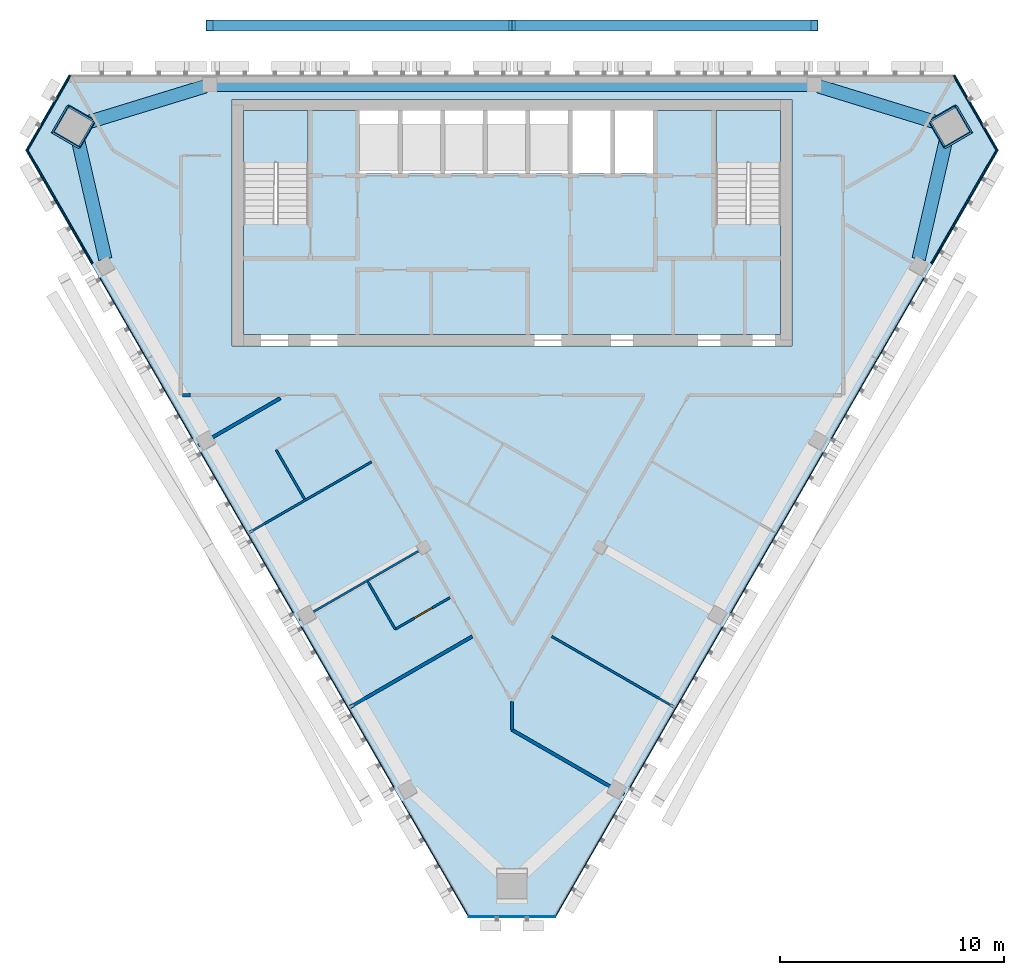
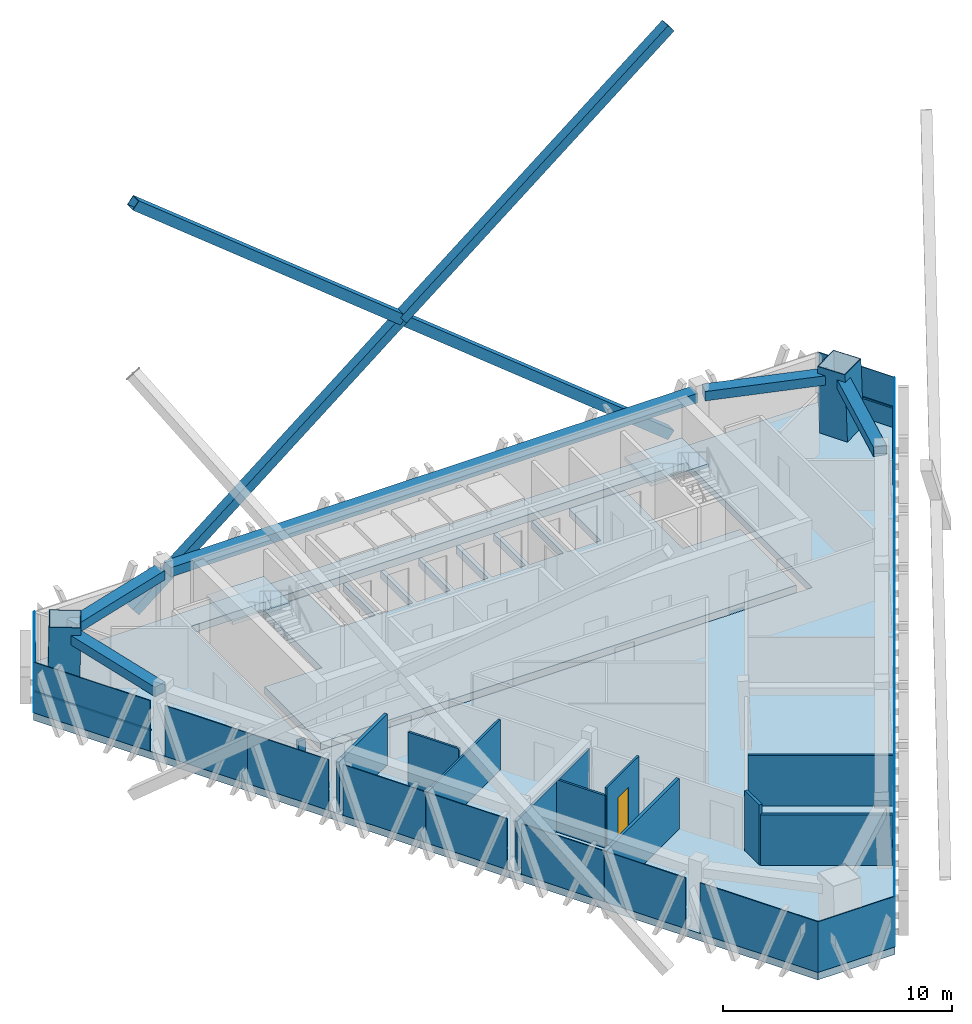
# One storey, part 5 of 12: 19 plates, 11 walls, 10 members, 5 beams, 4 slabs, 1 door, 1 opening, 7 elements without a shape of their own.
"""IFC4 building model written with IfcOpenShell, lengths in metres."""

from ifc_helpers import new_model, si_unit, direction, frame, frame_2d, origin, origin_2d, place, context, subcontext, project, spatial, polyline, rectangle, hollow_rectangle, outline, extrude, material, layer, layer_set, material_profile, profile_set, type_object, element, fill, aggregate, save


model = new_model("IFC4")

# Units and contexts
model_context = context("Model", 3, precision=1e-05, world=origin(), true_north=direction((0.0, 1.0)))
body_context = subcontext(model_context, "Body", "Model", "MODEL_VIEW")
ifc_project = project(units=[si_unit("LENGTHUNIT", "METRE"), si_unit("AREAUNIT", "SQUARE_METRE"), si_unit("VOLUMEUNIT", "CUBIC_METRE"), si_unit("PLANEANGLEUNIT", "RADIAN"), si_unit("MASSUNIT", "GRAM", prefix="KILO")], contexts=[model_context])

# Site, building, storey
site_placement = place(None, origin())
site = spatial("IfcSite", under=ifc_project, at=site_placement, CompositionType="ELEMENT")
building_placement = place(site_placement, origin())
building = spatial("IfcBuilding", under=site, at=building_placement, Name="Altiplano Prism Tower", CompositionType="ELEMENT")
storey_placement = place(building_placement, frame((0.0, 0.0, 313.0)))
storey = spatial("IfcBuildingStorey", under=building, at=storey_placement, Name="L81", CompositionType="ELEMENT", Elevation=313.0)

# Curtain wall, member
ifc_material_1 = material(Name="Aluminium and glass", Category="aluminium")
ifc_layer_1 = layer(ifc_material_1, 0.280029296875)
ifc_layer_set_1 = layer_set([ifc_layer_1], Name="Aluminium and glass")
curtain_wall_type = type_object("IfcCurtainWallType", Name="CW1 typical co-living unitised curtain wall", PredefinedType="NOTDEFINED", material=ifc_layer_set_1)
curtain_wall_1_placement = place(storey_placement, origin())
curtain_wall_1 = element("IfcCurtainWall", 1, at=curtain_wall_1_placement, inside=storey, type_object=curtain_wall_type, Name="CW1 curtain wall north-west chamfer L81", PredefinedType="NOTDEFINED")
ifc_material_2 = material(Name="Aluminium", Category="aluminium")
ifc_material_profile_1 = material_profile(ifc_material_2, rectangle(XDim=0.06005859375, YDim=0.080078125, at=origin_2d()), Name="CW1 transom 80 x 60")
ifc_profile_set_1 = profile_set([ifc_material_profile_1], Name="Aluminium")
member_type_1 = type_object("IfcMemberType", Name="CW1 transom 80 x 60", PredefinedType="USERDEFINED", material=ifc_profile_set_1)
member_1_placement = place(storey_placement, frame((65.2822265625, 104.965087890625, 1.10009765625), z_axis=(-0.499998048424, -0.866026530524, 0.0), x_axis=(0.866026530524, -0.499998048424, 0.0)))
member_1 = element("IfcMember", 2, at=member_1_placement, type_object=member_type_1, Name="CW1 transom", ObjectType="TRANSOM", PredefinedType="USERDEFINED", context=body_context, shape_type="SweptSolid", body=[
    extrude(rectangle(XDim=0.06005859375, YDim=0.080078125, at=origin_2d()), origin(), (0.0, 0.0, 1.0), 3.88525390625),
])

curtain_wall_2_placement = place(storey_placement, origin())
curtain_wall_2 = element("IfcCurtainWall", 3, at=curtain_wall_2_placement, inside=storey, type_object=curtain_wall_type, Name="CW1 curtain wall south-west face L81", PredefinedType="NOTDEFINED")
member_2_placement = place(storey_placement, frame((63.339599609375, 101.67041015625, 1.10009765625), z_axis=(0.500010280449, -0.866019468283, 0.0), x_axis=(0.866019468283, 0.500010280449, 0.0)))
member_2 = element("IfcMember", 4, at=member_2_placement, type_object=member_type_1, Name="CW1 transom", ObjectType="TRANSOM", PredefinedType="USERDEFINED", context=body_context, shape_type="SweptSolid", body=[
    extrude(rectangle(XDim=0.06005859375, YDim=0.080078125, at=origin_2d()), origin(), (0.0, 0.0, 1.0), 5.8740234375),
])

curtain_wall_3_placement = place(storey_placement, origin())
curtain_wall_3 = element("IfcCurtainWall", 5, at=curtain_wall_3_placement, inside=storey, type_object=curtain_wall_type, Name="CW1 curtain wall south-east face L81", PredefinedType="NOTDEFINED")
member_3_placement = place(storey_placement, frame((103.723388671875, 96.58349609375, 1.10009765625), z_axis=(0.500010280449, 0.866019468283, 0.0), x_axis=(-0.866019468283, 0.500010280449, 0.0)))
member_3 = element("IfcMember", 6, at=member_3_placement, type_object=member_type_1, Name="CW1 transom", ObjectType="TRANSOM", PredefinedType="USERDEFINED", context=body_context, shape_type="SweptSolid", body=[
    extrude(rectangle(XDim=0.06005859375, YDim=0.080078125, at=origin_2d()), origin(), (0.0, 0.0, 1.0), 5.8740234375),
])

curtain_wall_4_placement = place(storey_placement, origin())
curtain_wall_4 = element("IfcCurtainWall", 7, at=curtain_wall_4_placement, inside=storey, type_object=curtain_wall_type, Name="CW1 curtain wall north-east chamfer L81", PredefinedType="NOTDEFINED")
member_4_placement = place(storey_placement, frame((106.660400390625, 101.600341796875, 1.10009765625), z_axis=(-0.499998048424, 0.866026530524, 0.0), x_axis=(-0.866026530524, -0.499998048424, 0.0)))
member_4 = element("IfcMember", 8, at=member_4_placement, type_object=member_type_1, Name="CW1 transom", ObjectType="TRANSOM", PredefinedType="USERDEFINED", context=body_context, shape_type="SweptSolid", body=[
    extrude(rectangle(XDim=0.06005859375, YDim=0.080078125, at=origin_2d()), origin(), (0.0, 0.0, 1.0), 3.88525390625),
])

# Beams
ifc_material_3 = material(Name="Concrete C60/75", Category="concrete")
ifc_material_profile_2 = material_profile(ifc_material_3, rectangle(XDim=0.60009765625, YDim=0.5, at=origin_2d()), Name="Edge beam 600x500")
ifc_profile_set_2 = profile_set([ifc_material_profile_2], Name="Concrete C60/75")
beam_type = type_object("IfcBeamType", Name="Edge beam 600x500", PredefinedType="SPANDREL", material=ifc_profile_set_2)
beam_1_placement = place(storey_placement, frame((103.161376953125, 96.776123046875, 2.949951171875), z_axis=(0.223753874539, 0.97464568107, 0.0), x_axis=(-0.97464568107, 0.223753874539, 0.0)))
element("IfcBeam", 9, at=beam_1_placement, inside=storey, type_object=beam_type, Name="Edge beam P24-M2 L82", PredefinedType="SPANDREL", context=body_context, shape_type="SweptSolid", body=[
    extrude(rectangle(XDim=0.60009765625, YDim=0.5, at=origin_2d()), origin(), (0.0, 0.0, 1.0), 5.629150390625),
])
beam_2_placement = place(storey_placement, frame((104.091552734375, 102.8330078125, 2.949951171875), z_axis=(-0.955951384661, 0.293525041801, 0.0), x_axis=(-0.293525041801, -0.955951384661, 0.0)))
element("IfcBeam", 10, at=beam_2_placement, inside=storey, type_object=beam_type, Name="Edge beam M2-P01 L82", PredefinedType="SPANDREL", context=body_context, shape_type="SweptSolid", body=[
    extrude(rectangle(XDim=0.60009765625, YDim=0.5, at=origin_2d()), origin(), (0.0, 0.0, 1.0), 5.62939453125),
])
beam_3_placement = place(storey_placement, frame((98.294921875, 104.550048828125, 2.949951171875), z_axis=(-1.0, 0.0, 0.0), x_axis=(0.0, -1.0, 0.0)))
element("IfcBeam", 11, at=beam_3_placement, inside=storey, type_object=beam_type, Name="Edge beam P01-P04 L82", PredefinedType="SPANDREL", context=body_context, shape_type="SweptSolid", body=[
    extrude(rectangle(XDim=0.60009765625, YDim=0.5, at=origin_2d()), origin(), (0.0, 0.0, 1.0), 26.58984375),
])
beam_4_placement = place(storey_placement, frame((71.289794921875, 104.4853515625, 2.949951171875), z_axis=(-0.955951384661, -0.293525041801, 0.0), x_axis=(0.293525041801, -0.955951384661, 0.0)))
element("IfcBeam", 12, at=beam_4_placement, inside=storey, type_object=beam_type, Name="Edge beam P04-M0 L82", PredefinedType="SPANDREL", context=body_context, shape_type="SweptSolid", body=[
    extrude(rectangle(XDim=0.60009765625, YDim=0.5, at=origin_2d()), origin(), (0.0, 0.0, 1.0), 5.62939453125),
])
beam_5_placement = place(storey_placement, frame((65.5791015625, 102.262451171875, 2.949951171875), z_axis=(0.223753874539, -0.97464568107, 0.0), x_axis=(0.97464568107, 0.223753874539, 0.0)))
element("IfcBeam", 13, at=beam_5_placement, inside=storey, type_object=beam_type, Name="Edge beam M0-P11 L82", PredefinedType="SPANDREL", context=body_context, shape_type="SweptSolid", body=[
    extrude(rectangle(XDim=0.60009765625, YDim=0.5, at=origin_2d()), origin(), (0.0, 0.0, 1.0), 5.629150390625),
])

# Members
ifc_material_4 = material(Name="Steel S355", Category="steel")
ifc_material_profile_3 = material_profile(ifc_material_4, hollow_rectangle(XDim=0.5, YDim=0.5, WallThickness=0.02490234375, at=origin_2d()), Name="Mega brace Box 500x500x25")
ifc_profile_set_3 = profile_set([ifc_material_profile_3], Name="Steel S355")
member_type_2 = type_object("IfcMemberType", Name="Mega brace Box 500x500x25", PredefinedType="BRACE", material=ifc_profile_set_3)
member_5_placement = place(storey_placement, frame((98.5, 107.199951171875, -0.75), z_axis=(-0.779455836189, 0.0, 0.626457180844), x_axis=(0.0, -1.0, 0.0)))
element("IfcMember", 14, at=member_5_placement, inside=storey, type_object=member_type_2, Name="Mega brace 9.0.1", PredefinedType="BRACE", context=body_context, shape_type="SweptSolid", body=[
    extrude(hollow_rectangle(XDim=0.5, YDim=0.5, WallThickness=0.02490234375, at=origin_2d()), origin(), (0.0, 0.0, 1.0), 17.31982421875),
])
member_6_placement = place(storey_placement, frame((85.0, 107.199951171875, 10.10009765625), z_axis=(-0.779462719249, 0.0, 0.626448616648), x_axis=(0.0, -1.0, 0.0)))
element("IfcMember", 15, at=member_6_placement, inside=storey, type_object=member_type_2, Name="Mega brace 9.0.2", PredefinedType="BRACE", context=body_context, shape_type="SweptSolid", body=[
    extrude(hollow_rectangle(XDim=0.5, YDim=0.5, WallThickness=0.02490234375, at=origin_2d()), origin(), (0.0, 0.0, 1.0), 17.319580078125),
])
member_7_placement = place(storey_placement, frame((71.5, 107.199951171875, -0.75), z_axis=(0.779455836189, 0.0, 0.626457180844), x_axis=(0.0, 1.0, 0.0)))
element("IfcMember", 16, at=member_7_placement, inside=storey, type_object=member_type_2, Name="Mega brace 9.0.3", PredefinedType="BRACE", context=body_context, shape_type="SweptSolid", body=[
    extrude(hollow_rectangle(XDim=0.5, YDim=0.5, WallThickness=0.02490234375, at=origin_2d()), origin(), (0.0, 0.0, 1.0), 17.31982421875),
])
member_8_placement = place(storey_placement, frame((85.0, 107.199951171875, 10.10009765625), z_axis=(0.779462719249, 0.0, 0.626448616648), x_axis=(0.0, 1.0, 0.0)))
element("IfcMember", 17, at=member_8_placement, inside=storey, type_object=member_type_2, Name="Mega brace 9.0.4", PredefinedType="BRACE", context=body_context, shape_type="SweptSolid", body=[
    extrude(hollow_rectangle(XDim=0.5, YDim=0.5, WallThickness=0.02490234375, at=origin_2d()), origin(), (0.0, 0.0, 1.0), 17.319580078125),
])
ifc_material_5 = material(Name="Steel S460", Category="steel")
ifc_material_profile_4 = material_profile(ifc_material_5, hollow_rectangle(XDim=1.39990234375, YDim=1.39990234375, WallThickness=0.0400390625, at=origin_2d()), Name="Mega column tube 1400")
ifc_profile_set_4 = profile_set([ifc_material_profile_4], Name="Steel S460")
member_type_3 = type_object("IfcMemberType", Name="Mega column tube 1400", PredefinedType="POST", material=ifc_profile_set_4)
for number, where, z_axis, x_axis, name in (
    (18, (65.3759765625, 102.667724609375, 0.0), (0.028401814599, 0.009218727412, 0.999554076572), (-0.865123016218, 0.501162418609, 0.019959884366), "Mega column tube M0 L81"),
    (19, (104.6240234375, 102.667724609375, 0.0), (-0.028401814599, 0.009218727412, 0.999554076572), (0.500754933813, -0.865304134532, 0.022209255362), "Mega column tube M2 L81"),
):
    element("IfcMember", number, at=place(storey_placement, frame(where, z_axis=z_axis, x_axis=x_axis)), inside=storey, type_object=member_type_3, Name=name, PredefinedType="POST", context=body_context, shape_type="SweptSolid", body=[
        extrude(hollow_rectangle(XDim=1.39990234375, YDim=1.39990234375, WallThickness=0.0400390625, at=origin_2d()), origin(), (0.0, 0.0, 1.0), 3.601806640625),
    ])

# Plate
ifc_material_6 = material(Name="Clear glass", Category="glass")
ifc_layer_2 = layer(ifc_material_6, 0.0400390625)
ifc_layer_set_2 = layer_set([ifc_layer_2], Name="Clear glass")
plate_type = type_object("IfcPlateType", Name="CW1 insulated glass unit 40", PredefinedType="CURTAIN_PANEL", material=ifc_layer_set_2)
plate_1_placement = place(storey_placement, frame((64.267578125, 103.3076171875, 0.0), z_axis=(0.0, 0.0, 1.0), x_axis=(-0.49999997701, -0.866025417058, 0.0)))
plate_1 = element("IfcPlate", 20, at=plate_1_placement, type_object=plate_type, Name="CW1 panel", PredefinedType="CURTAIN_PANEL", context=body_context, shape_type="SweptSolid", body=[
    extrude(rectangle(XDim=3.875244140625, YDim=0.0400390625, at=origin_2d()), origin(), (0.0, 0.0, 1.0), 2.699951171875),
])

aggregate(curtain_wall_1, [member_1, plate_1])

plate_2_placement = place(storey_placement, frame((64.7646484375, 99.101806640625, 0.0), z_axis=(0.0, 0.0, 1.0), x_axis=(0.500000004021, -0.866025401463, 0.0)))
plate_2 = element("IfcPlate", 21, at=plate_2_placement, type_object=plate_type, Name="CW1 panel", PredefinedType="CURTAIN_PANEL", context=body_context, shape_type="SweptSolid", body=[
    extrude(rectangle(XDim=5.86376953125, YDim=0.0400390625, at=origin_2d()), origin(), (0.0, 0.0, 1.0), 2.699951171875),
])

plate_3_placement = place(storey_placement, frame((67.641845703125, 94.11865234375, 0.0), z_axis=(0.0, 0.0, 1.0), x_axis=(0.500000004021, -0.866025401463, 0.0)))
plate_3 = element("IfcPlate", 22, at=plate_3_placement, type_object=plate_type, Name="CW1 panel", PredefinedType="CURTAIN_PANEL", context=body_context, shape_type="SweptSolid", body=[
    extrude(rectangle(XDim=4.16455078125, YDim=0.0400390625, at=origin_2d()), origin(), (0.0, 0.0, 1.0), 2.699951171875),
])

plate_4_placement = place(storey_placement, frame((69.70947265625, 90.53759765625, 0.0), z_axis=(0.0, 0.0, 1.0), x_axis=(0.500000004021, -0.866025401463, 0.0)))
plate_4 = element("IfcPlate", 23, at=plate_4_placement, type_object=plate_type, Name="CW1 panel", PredefinedType="CURTAIN_PANEL", context=body_context, shape_type="SweptSolid", body=[
    extrude(rectangle(XDim=4.08544921875, YDim=0.0400390625, at=origin_2d()), origin(), (0.0, 0.0, 1.0), 2.699951171875),
])

plate_5_placement = place(storey_placement, frame((72.141845703125, 86.32421875, 0.0), z_axis=(0.0, 0.0, 1.0), x_axis=(0.500000004021, -0.866025401463, 0.0)))
plate_5 = element("IfcPlate", 24, at=plate_5_placement, type_object=plate_type, Name="CW1 panel", PredefinedType="CURTAIN_PANEL", context=body_context, shape_type="SweptSolid", body=[
    extrude(rectangle(XDim=4.16455078125, YDim=0.0400390625, at=origin_2d()), origin(), (0.0, 0.0, 1.0), 2.699951171875),
])

plate_6_placement = place(storey_placement, frame((74.20947265625, 82.743408203125, 0.0), z_axis=(0.0, 0.0, 1.0), x_axis=(0.500000004021, -0.866025401463, 0.0)))
plate_6 = element("IfcPlate", 25, at=plate_6_placement, type_object=plate_type, Name="CW1 panel", PredefinedType="CURTAIN_PANEL", context=body_context, shape_type="SweptSolid", body=[
    extrude(rectangle(XDim=4.08544921875, YDim=0.0400390625, at=origin_2d()), origin(), (0.0, 0.0, 1.0), 2.699951171875),
])

plate_7_placement = place(storey_placement, frame((76.641845703125, 78.530029296875, 0.0), z_axis=(0.0, 0.0, 1.0), x_axis=(0.500000004021, -0.866025401463, 0.0)))
plate_7 = element("IfcPlate", 26, at=plate_7_placement, type_object=plate_type, Name="CW1 panel", PredefinedType="CURTAIN_PANEL", context=body_context, shape_type="SweptSolid", body=[
    extrude(rectangle(XDim=4.16455078125, YDim=0.0400390625, at=origin_2d()), origin(), (0.0, 0.0, 1.0), 2.699951171875),
])

plate_8_placement = place(storey_placement, frame((78.70947265625, 74.94921875, 0.0), z_axis=(0.0, 0.0, 1.0), x_axis=(0.500000004021, -0.866025401463, 0.0)))
plate_8 = element("IfcPlate", 27, at=plate_8_placement, type_object=plate_type, Name="CW1 panel", PredefinedType="CURTAIN_PANEL", context=body_context, shape_type="SweptSolid", body=[
    extrude(rectangle(XDim=4.08544921875, YDim=0.0400390625, at=origin_2d()), origin(), (0.0, 0.0, 1.0), 2.699951171875),
])

plate_9_placement = place(storey_placement, frame((81.58642578125, 69.9658203125, 0.0), z_axis=(0.0, 0.0, 1.0), x_axis=(0.500000004021, -0.866025401463, 0.0)))
plate_9 = element("IfcPlate", 28, at=plate_9_placement, type_object=plate_type, Name="CW1 panel", PredefinedType="CURTAIN_PANEL", context=body_context, shape_type="SweptSolid", body=[
    extrude(rectangle(XDim=5.94287109375, YDim=0.0400390625, at=origin_2d()), origin(), (0.0, 0.0, 1.0), 2.699951171875),
])

aggregate(curtain_wall_2, [member_2, plate_2, plate_3, plate_4, plate_5, plate_6, plate_7, plate_8, plate_9])

# Curtain wall, plate
curtain_wall_5_placement = place(storey_placement, origin())
curtain_wall_5 = element("IfcCurtainWall", 29, at=curtain_wall_5_placement, inside=storey, type_object=curtain_wall_type, Name="CW1 curtain wall south chamfer L81", PredefinedType="NOTDEFINED")
plate_10_placement = place(storey_placement, frame((85.0, 67.398193359375, 0.0), z_axis=(0.0, 0.0, 1.0), x_axis=(1.0, 0.0, 0.0)))
plate_10 = element("IfcPlate", 30, at=plate_10_placement, type_object=plate_type, Name="CW1 panel", PredefinedType="CURTAIN_PANEL", context=body_context, shape_type="SweptSolid", body=[
    extrude(rectangle(XDim=3.875244140625, YDim=0.0400390625, at=origin_2d()), origin(), (0.0, 0.0, 1.0), 2.699951171875),
])
aggregate(curtain_wall_5, [plate_10])

# Plate
plate_11_placement = place(storey_placement, frame((88.41357421875, 69.9658203125, 0.0), z_axis=(0.0, 0.0, 1.0), x_axis=(0.500000004021, 0.866025401463, 0.0)))
plate_11 = element("IfcPlate", 31, at=plate_11_placement, type_object=plate_type, Name="CW1 panel", PredefinedType="CURTAIN_PANEL", context=body_context, shape_type="SweptSolid", body=[
    extrude(rectangle(XDim=5.94287109375, YDim=0.0400390625, at=origin_2d()), origin(), (0.0, 0.0, 1.0), 2.699951171875),
])

plate_12_placement = place(storey_placement, frame((91.29052734375, 74.94921875, 0.0), z_axis=(0.0, 0.0, 1.0), x_axis=(0.500000004021, 0.866025401463, 0.0)))
plate_12 = element("IfcPlate", 32, at=plate_12_placement, type_object=plate_type, Name="CW1 panel", PredefinedType="CURTAIN_PANEL", context=body_context, shape_type="SweptSolid", body=[
    extrude(rectangle(XDim=4.08544921875, YDim=0.0400390625, at=origin_2d()), origin(), (0.0, 0.0, 1.0), 2.699951171875),
])

plate_13_placement = place(storey_placement, frame((93.358154296875, 78.530029296875, 0.0), z_axis=(0.0, 0.0, 1.0), x_axis=(0.500000004021, 0.866025401463, 0.0)))
plate_13 = element("IfcPlate", 33, at=plate_13_placement, type_object=plate_type, Name="CW1 panel", PredefinedType="CURTAIN_PANEL", context=body_context, shape_type="SweptSolid", body=[
    extrude(rectangle(XDim=4.16455078125, YDim=0.0400390625, at=origin_2d()), origin(), (0.0, 0.0, 1.0), 2.699951171875),
])

plate_14_placement = place(storey_placement, frame((95.79052734375, 82.743408203125, 0.0), z_axis=(0.0, 0.0, 1.0), x_axis=(0.500000004021, 0.866025401463, 0.0)))
plate_14 = element("IfcPlate", 34, at=plate_14_placement, type_object=plate_type, Name="CW1 panel", PredefinedType="CURTAIN_PANEL", context=body_context, shape_type="SweptSolid", body=[
    extrude(rectangle(XDim=4.08544921875, YDim=0.0400390625, at=origin_2d()), origin(), (0.0, 0.0, 1.0), 2.699951171875),
])

plate_15_placement = place(storey_placement, frame((97.858154296875, 86.32421875, 0.0), z_axis=(0.0, 0.0, 1.0), x_axis=(0.500000004021, 0.866025401463, 0.0)))
plate_15 = element("IfcPlate", 35, at=plate_15_placement, type_object=plate_type, Name="CW1 panel", PredefinedType="CURTAIN_PANEL", context=body_context, shape_type="SweptSolid", body=[
    extrude(rectangle(XDim=4.16455078125, YDim=0.0400390625, at=origin_2d()), origin(), (0.0, 0.0, 1.0), 2.699951171875),
])

plate_16_placement = place(storey_placement, frame((100.29052734375, 90.53759765625, 0.0), z_axis=(0.0, 0.0, 1.0), x_axis=(0.500000004021, 0.866025401463, 0.0)))
plate_16 = element("IfcPlate", 36, at=plate_16_placement, type_object=plate_type, Name="CW1 panel", PredefinedType="CURTAIN_PANEL", context=body_context, shape_type="SweptSolid", body=[
    extrude(rectangle(XDim=4.08544921875, YDim=0.0400390625, at=origin_2d()), origin(), (0.0, 0.0, 1.0), 2.699951171875),
])

plate_17_placement = place(storey_placement, frame((102.358154296875, 94.11865234375, 0.0), z_axis=(0.0, 0.0, 1.0), x_axis=(0.500000004021, 0.866025401463, 0.0)))
plate_17 = element("IfcPlate", 37, at=plate_17_placement, type_object=plate_type, Name="CW1 panel", PredefinedType="CURTAIN_PANEL", context=body_context, shape_type="SweptSolid", body=[
    extrude(rectangle(XDim=4.16455078125, YDim=0.0400390625, at=origin_2d()), origin(), (0.0, 0.0, 1.0), 2.699951171875),
])

plate_18_placement = place(storey_placement, frame((105.2353515625, 99.101806640625, 0.0), z_axis=(0.0, 0.0, 1.0), x_axis=(0.500000004021, 0.866025401463, 0.0)))
plate_18 = element("IfcPlate", 38, at=plate_18_placement, type_object=plate_type, Name="CW1 panel", PredefinedType="CURTAIN_PANEL", context=body_context, shape_type="SweptSolid", body=[
    extrude(rectangle(XDim=5.86376953125, YDim=0.0400390625, at=origin_2d()), origin(), (0.0, 0.0, 1.0), 2.699951171875),
])

aggregate(curtain_wall_3, [plate_11, plate_12, plate_13, plate_14, plate_15, plate_16, plate_17, member_3, plate_18])

plate_19_placement = place(storey_placement, frame((105.732421875, 103.3076171875, 0.0), z_axis=(0.0, 0.0, 1.0), x_axis=(-0.49999997701, 0.866025417058, 0.0)))
plate_19 = element("IfcPlate", 39, at=plate_19_placement, type_object=plate_type, Name="CW1 panel", PredefinedType="CURTAIN_PANEL", context=body_context, shape_type="SweptSolid", body=[
    extrude(rectangle(XDim=3.875244140625, YDim=0.0400390625, at=origin_2d()), origin(), (0.0, 0.0, 1.0), 2.699951171875),
])

aggregate(curtain_wall_4, [member_4, plate_19])

# Slabs
ifc_material_7 = material(Name="Concrete C40/50", Category="concrete")
ifc_layer_3 = layer(ifc_material_7, 0.39990234375)
ifc_layer_set_3 = layer_set([ifc_layer_3], Name="Concrete C40/50")
slab_type_1 = type_object("IfcSlabType", Name="Core floor slab 400", PredefinedType="FLOOR", material=ifc_layer_set_3)
slab_1_placement = place(storey_placement, frame((0.0, 0.0, -0.39990234375)))
element("IfcSlab", 40, at=slab_1_placement, inside=storey, type_object=slab_type_1, Name="Core floor slab L81", PredefinedType="FLOOR", context=body_context, shape_type="SweptSolid", body=[
    extrude(outline(polyline([(97.0, 98.31005859375), (94.10009765625, 98.31005859375), (94.10009765625, 103.39990234375), (91.300048828125, 103.39990234375), (91.300048828125, 100.60009765625), (89.60009765625, 100.60009765625), (89.60009765625, 103.39990234375), (89.39990234375, 103.39990234375), (89.39990234375, 100.60009765625), (87.699951171875, 100.60009765625), (87.699951171875, 103.39990234375), (87.5, 103.39990234375), (87.5, 100.60009765625), (85.800048828125, 100.60009765625), (85.800048828125, 103.39990234375), (85.60009765625, 103.39990234375), (85.60009765625, 100.60009765625), (83.89990234375, 100.60009765625), (83.89990234375, 103.39990234375), (83.699951171875, 103.39990234375), (83.699951171875, 100.60009765625), (82.0, 100.60009765625), (82.0, 103.39990234375), (81.800048828125, 103.39990234375), (81.800048828125, 100.60009765625), (80.10009765625, 100.60009765625), (80.10009765625, 103.39990234375), (79.89990234375, 103.39990234375), (79.89990234375, 100.60009765625), (78.199951171875, 100.60009765625), (78.199951171875, 103.39990234375), (75.89990234375, 103.39990234375), (75.89990234375, 98.31005859375), (73.0, 98.31005859375), (73.0, 93.39990234375), (97.0, 93.39990234375), (97.0, 98.31005859375)])), origin(), (0.0, 0.0, 1.0), 0.39990234375),
])
ifc_layer_4 = layer(ifc_material_7, 0.39990234375)
ifc_layer_set_4 = layer_set([ifc_layer_4], Name="Concrete C40/50")
slab_type_2 = type_object("IfcSlabType", Name="Post-tensioned flat slab 400", PredefinedType="FLOOR", material=ifc_layer_set_4)
slab_2_placement = place(storey_placement, frame((0.0, 0.0, -0.39990234375)))
element("IfcSlab", 41, at=slab_2_placement, inside=storey, type_object=slab_type_2, Name="Floor slab L81", PredefinedType="FLOOR", context=body_context, shape_type="SweptSolid", body=[
    extrude(outline(polyline([(106.720947265625, 101.63525390625), (86.942626953125, 67.378173828125), (83.057373046875, 67.378173828125), (63.279052734375, 101.63525390625), (65.221435546875, 105.0), (104.778564453125, 105.0), (106.720947265625, 101.63525390625)]), holes=[polyline([(97.5, 92.89990234375), (97.5, 103.89990234375), (72.5, 103.89990234375), (72.5, 92.89990234375), (97.5, 92.89990234375)])]), origin(), (0.0, 0.0, 1.0), 0.39990234375),
])

# Stair, slab
stair_type = type_object("IfcStairType", Name="Exit stair 1400", PredefinedType="HALF_TURN_STAIR", material=ifc_material_7)
stair_1_placement = place(storey_placement, origin())
stair_1 = element("IfcStair", 42, at=stair_1_placement, inside=storey, type_object=stair_type, Name="L81 Exit Stair 1", PredefinedType="HALF_TURN_STAIR")
ifc_layer_5 = layer(ifc_material_7, 0.199951171875)
ifc_layer_set_5 = layer_set([ifc_layer_5], Name="Concrete C40/50")
slab_type_3 = type_object("IfcSlabType", Name="Stair landing 200", PredefinedType="LANDING", material=ifc_layer_set_5)
slab_3_placement = place(storey_placement, frame((0.0, 0.0, 1.60009765625)))
slab_3 = element("IfcSlab", 43, at=slab_3_placement, type_object=slab_type_3, Name="ST1 landing 1", PredefinedType="LANDING", context=body_context, shape_type="SweptSolid", body=[
    extrude(outline(polyline([(75.89990234375, 101.096923828125), (75.89990234375, 103.39990234375), (73.0, 103.39990234375), (73.0, 101.096923828125), (75.89990234375, 101.096923828125)])), origin(), (0.0, 0.0, 1.0), 0.199951171875),
])
aggregate(stair_1, [slab_3])

stair_2_placement = place(storey_placement, origin())
stair_2 = element("IfcStair", 44, at=stair_2_placement, inside=storey, type_object=stair_type, Name="L81 Exit Stair 2", PredefinedType="HALF_TURN_STAIR")
slab_4_placement = place(storey_placement, frame((0.0, 0.0, 1.60009765625)))
slab_4 = element("IfcSlab", 45, at=slab_4_placement, type_object=slab_type_3, Name="ST2 landing 1", PredefinedType="LANDING", context=body_context, shape_type="SweptSolid", body=[
    extrude(outline(polyline([(97.0, 101.096923828125), (97.0, 103.39990234375), (94.10009765625, 103.39990234375), (94.10009765625, 101.096923828125), (97.0, 101.096923828125)])), origin(), (0.0, 0.0, 1.0), 0.199951171875),
])
aggregate(stair_2, [slab_4])

# Wall
ifc_material_8 = material(Name="Plasterboard on steel stud", Category="steel")
ifc_layer_6 = layer(ifc_material_8, 0.10009765625)
ifc_layer_set_6 = layer_set([ifc_layer_6], Name="Plasterboard on steel stud")
wall_type_1 = type_object("IfcWallType", Name="Partition 100 unit", PredefinedType="PARTITIONING", material=ifc_layer_set_6)
wall_1_placement = place(storey_placement, frame((75.7412109375, 86.050048828125, 0.0), z_axis=(0.0, 0.0, 1.0), x_axis=(-0.499990435942, 0.866030925526, 0.0)))
element("IfcWall", 46, at=wall_1_placement, inside=storey, type_object=wall_type_1, Name="Partition P02 L81 023", PredefinedType="PARTITIONING", context=body_context, shape_type="SweptSolid", body=[
    extrude(rectangle(XDim=2.5498046875, YDim=0.10009765625, at=frame_2d((1.27490234375, 0.0))), origin(), (0.0, 0.0, 1.0), 3.199951171875),
])

# Wall, opening, door
wall_2_placement = place(storey_placement, frame((82.232421875, 81.656982421875, 0.0), z_axis=(0.0, 0.0, 1.0), x_axis=(-0.866048868473, -0.499959355765, 0.0)))
wall_2 = element("IfcWall", 47, at=wall_2_placement, inside=storey, type_object=wall_type_1, Name="Partition P02 L81 027", PredefinedType="PARTITIONING", context=body_context, shape_type="SweptSolid", body=[
    extrude(rectangle(XDim=2.824951171875, YDim=0.10009765625, at=frame_2d((1.41259765625, 0.0))), origin(), (0.0, 0.0, 1.0), 3.199951171875),
])
opening_placement = place(wall_2_placement, frame((0.925048828125, 0.0, 0.0)))
opening = element("IfcOpeningElement", 48, at=opening_placement, cuts=wall_2, Name="Opening D2400", PredefinedType="OPENING", context=body_context, shape_type="SweptSolid", body=[
    extrude(rectangle(XDim=0.89990234375, YDim=2.10009765625, at=frame_2d((0.449951171875, 1.050048828125))), frame((0.0, 0.060546875, 0.0), z_axis=(0.0, -1.0, 0.0), x_axis=(1.0, 0.0, 0.0)), (0.0, 0.0, 1.0), 0.12109375),
])
ifc_material_9 = material(Name="Timber", Category="wood")
door_type = type_object("IfcDoorType", Name="Ensuite door 900 x 2100", OperationType="NOTDEFINED", PredefinedType="NOTDEFINED", material=ifc_material_9)
door_placement = place(opening_placement, origin())
door = element("IfcDoor", 49, at=door_placement, inside=storey, type_object=door_type, Name="Door D2400", OperationType="SINGLE_SWING_RIGHT", OverallHeight=2.10009765625, OverallWidth=0.89990234375, PredefinedType="NOTDEFINED", context=body_context, shape_type="SweptSolid", body=[
    extrude(rectangle(XDim=0.89990234375, YDim=2.10009765625, at=frame_2d((0.449951171875, 1.050048828125))), frame((0.0, 0.02490234375, 0.0), z_axis=(0.0, -1.0, 0.0), x_axis=(1.0, 0.0, 0.0)), (0.0, 0.0, 1.0), 0.050048828125),
])
fill(opening, door)

# Walls
wall_3_placement = place(storey_placement, frame((79.785888671875, 80.24462890625, 0.0), z_axis=(0.0, 0.0, 1.0), x_axis=(-0.500061746146, 0.865989751695, 0.0)))
element("IfcWall", 50, at=wall_3_placement, inside=storey, type_object=wall_type_1, Name="Partition P02 L81 028", PredefinedType="PARTITIONING", context=body_context, shape_type="SweptSolid", body=[
    extrude(rectangle(XDim=2.449951171875, YDim=0.10009765625, at=frame_2d((1.22509765625, 0.0))), origin(), (0.0, 0.0, 1.0), 2.800048828125),
])
ifc_layer_7 = layer(ifc_material_8, 0.10009765625)
ifc_layer_set_7 = layer_set([ifc_layer_7], Name="Plasterboard on steel stud")
wall_type_2 = type_object("IfcWallType", Name="Partition 100 wet", PredefinedType="PARTITIONING", material=ifc_layer_set_7)
wall_4_placement = place(storey_placement, frame((73.2373046875, 84.546630859375, 0.0), z_axis=(0.0, 0.0, 1.0), x_axis=(0.866025401434, 0.500000004071, 0.0)))
element("IfcWall", 51, at=wall_4_placement, inside=storey, type_object=wall_type_2, Name="Partition P03 L81 025", PredefinedType="PARTITIONING", context=body_context, shape_type="SweptSolid", body=[
    extrude(rectangle(XDim=6.34521484375, YDim=0.10009765625, at=frame_2d((3.172607421875, 0.0))), origin(), (0.0, 0.0, 1.0), 2.699951171875),
])
wall_5_placement = place(storey_placement, frame((75.5048828125, 80.65966796875, 0.0), z_axis=(0.0, 0.0, 1.0), x_axis=(0.866032601554, 0.49998753289, 0.0)))
element("IfcWall", 52, at=wall_5_placement, inside=storey, type_object=wall_type_2, Name="Partition P03 L81 026", PredefinedType="PARTITIONING", context=body_context, shape_type="SweptSolid", body=[
    extrude(rectangle(XDim=6.324951171875, YDim=0.10009765625, at=frame_2d((3.16259765625, 0.0))), origin(), (0.0, 0.0, 1.0), 2.699951171875),
])
wall_6_placement = place(storey_placement, frame((92.2626953125, 76.75244140625, 0.0), z_axis=(0.0, 0.0, 1.0), x_axis=(-0.866025401434, 0.500000004071, 0.0)))
element("IfcWall", 53, at=wall_6_placement, inside=storey, type_object=wall_type_2, Name="Partition P03 L81 032", PredefinedType="PARTITIONING", context=body_context, shape_type="SweptSolid", body=[
    extrude(rectangle(XDim=6.34521484375, YDim=0.10009765625, at=frame_2d((3.172607421875, 0.0))), origin(), (0.0, 0.0, 1.0), 2.699951171875),
])
ifc_layer_8 = layer(ifc_material_8, 0.14990234375)
ifc_layer_set_8 = layer_set([ifc_layer_8], Name="Plasterboard on steel stud")
wall_type_3 = type_object("IfcWallType", Name="Partition 150 corridor", PredefinedType="PARTITIONING", material=ifc_layer_set_8)
wall_7_placement = place(storey_placement, frame((70.27490234375, 90.699951171875, 0.0), z_axis=(0.0, 0.0, 1.0), x_axis=(1.0, 0.0, 0.0)))
element("IfcWall", 54, at=wall_7_placement, inside=storey, type_object=wall_type_3, Name="Partition P06 L81 006", PredefinedType="PARTITIONING", context=body_context, shape_type="SweptSolid", body=[
    extrude(rectangle(XDim=0.36669921875, YDim=0.14990234375, at=frame_2d((0.183349609375, 0.0))), origin(), (0.0, 0.0, 1.0), 2.699951171875),
])
ifc_layer_9 = layer(ifc_material_8, 0.14990234375)
ifc_layer_set_9 = layer_set([ifc_layer_9], Name="Plasterboard on steel stud")
wall_type_4 = type_object("IfcWallType", Name="Partition 150 party", PredefinedType="PARTITIONING", material=ifc_layer_set_9)
wall_8_placement = place(storey_placement, frame((71.0048828125, 88.453857421875, 0.0), z_axis=(0.0, 0.0, 1.0), x_axis=(0.86601957428, 0.500010096862, 0.0)))
element("IfcWall", 55, at=wall_8_placement, inside=storey, type_object=wall_type_4, Name="Partition P01 L81 020", PredefinedType="PARTITIONING", context=body_context, shape_type="SweptSolid", body=[
    extrude(rectangle(XDim=4.21240234375, YDim=0.14990234375, at=frame_2d((2.106201171875, 0.0))), origin(), (0.0, 0.0, 1.0), 2.699951171875),
])
wall_9_placement = place(storey_placement, frame((77.7373046875, 76.75244140625, 0.0), z_axis=(0.0, 0.0, 1.0), x_axis=(0.866025401434, 0.500000004071, 0.0)))
element("IfcWall", 56, at=wall_9_placement, inside=storey, type_object=wall_type_4, Name="Partition P01 L81 029", PredefinedType="PARTITIONING", context=body_context, shape_type="SweptSolid", body=[
    extrude(rectangle(XDim=6.34521484375, YDim=0.14990234375, at=frame_2d((3.172607421875, 0.0))), origin(), (0.0, 0.0, 1.0), 2.699951171875),
])
wall_10_placement = place(storey_placement, frame((89.9951171875, 72.865478515625, 0.0), z_axis=(0.0, 0.0, 1.0), x_axis=(-0.866036153491, 0.4999813805, 0.0)))
element("IfcWall", 57, at=wall_10_placement, inside=storey, type_object=wall_type_4, Name="Partition P01 L81 030", PredefinedType="PARTITIONING", context=body_context, shape_type="SweptSolid", body=[
    extrude(rectangle(XDim=5.767822265625, YDim=0.14990234375, at=frame_2d((2.8837890625, 0.0))), origin(), (0.0, 0.0, 1.0), 2.699951171875),
])
wall_11_placement = place(storey_placement, frame((85.0, 75.749267578125, 0.0), z_axis=(0.0, 0.0, 1.0), x_axis=(0.0, 1.0, 0.0)))
element("IfcWall", 58, at=wall_11_placement, inside=storey, type_object=wall_type_4, Name="Partition P01 L81 031", PredefinedType="PARTITIONING", context=body_context, shape_type="SweptSolid", body=[
    extrude(rectangle(XDim=1.26416015625, YDim=0.14990234375, at=frame_2d((0.632080078125, 0.0))), origin(), (0.0, 0.0, 1.0), 3.199951171875),
])

save(model, "model.ifc")
